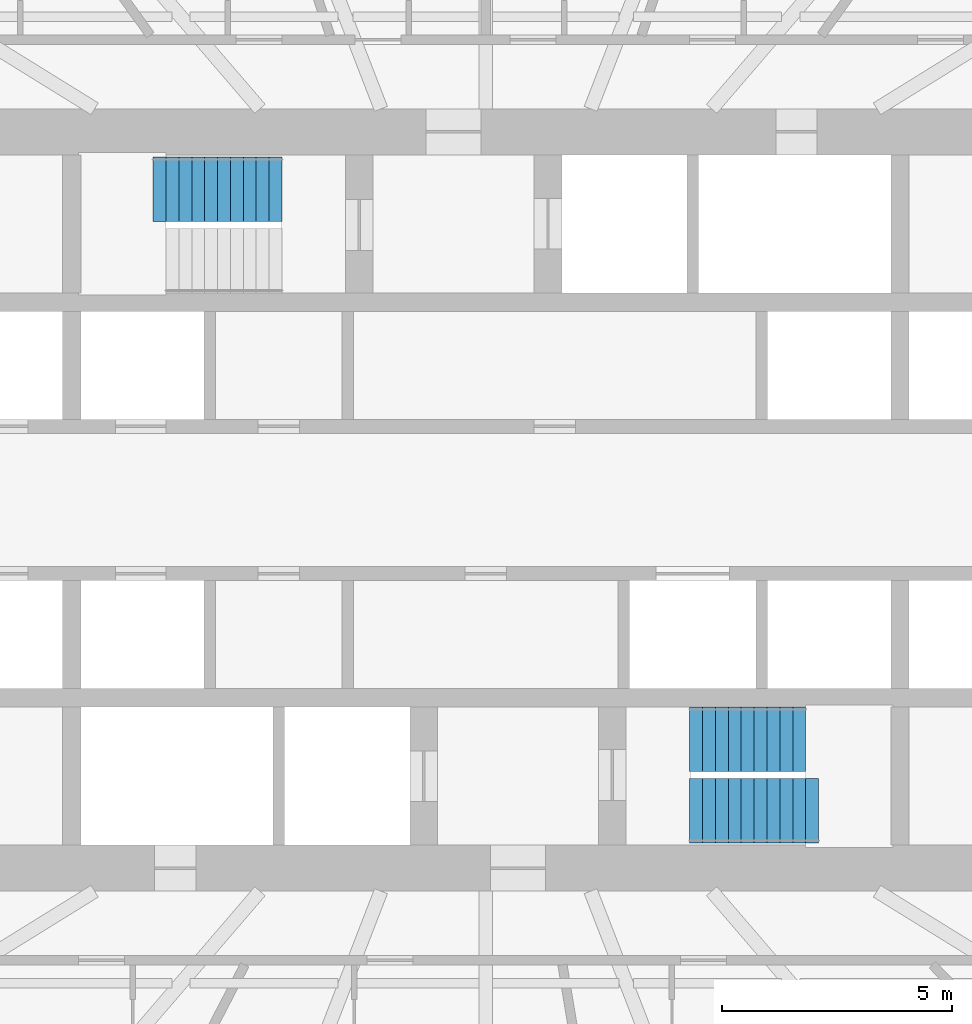
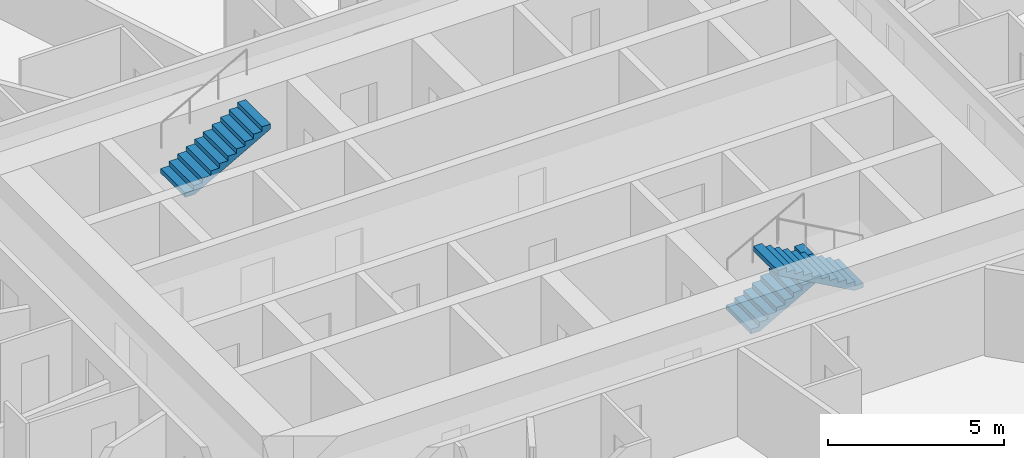
# One storey, part 12 of 13: 3 stair flights, 2 elements without a shape of their own.
"""IFC4 building model written with IfcOpenShell, lengths in metres."""

from ifc_helpers import new_model, si_unit, direction, frame, origin, place, context, subcontext, project, spatial, polyline, outline, extrude, material, type_object, element, aggregate, save


model = new_model("IFC4")

# Units and contexts
model_context = context("Model", 3, precision=1e-05, world=origin(), true_north=direction((0.0, 1.0)))
body_context = subcontext(model_context, "Body", "Model", "MODEL_VIEW")
ifc_project = project(units=[si_unit("LENGTHUNIT", "METRE"), si_unit("AREAUNIT", "SQUARE_METRE"), si_unit("VOLUMEUNIT", "CUBIC_METRE"), si_unit("PLANEANGLEUNIT", "RADIAN"), si_unit("MASSUNIT", "GRAM", prefix="KILO")], contexts=[model_context])

# Site, building, storey
site_placement = place(None, origin())
site = spatial("IfcSite", under=ifc_project, at=site_placement, CompositionType="ELEMENT")
building_placement = place(site_placement, origin())
building = spatial("IfcBuilding", under=site, at=building_placement, Name="Hankou Lantern Tower", CompositionType="ELEMENT")
storey_placement = place(building_placement, frame((0.0, 0.0, 42.60009765625)))
storey = spatial("IfcBuildingStorey", under=building, at=storey_placement, Name="L09", CompositionType="ELEMENT", Elevation=42.60009765625)

# Stair, stair flight
ifc_material_1 = material(Name="Concrete C40", Category="concrete")
stair_type = type_object("IfcStairType", Name="ST33 CORE STAIR 3300 RISE", PredefinedType="HALF_TURN_STAIR", material=ifc_material_1)
stair_1_placement = place(storey_placement, origin())
stair_1 = element("IfcStair", 1, at=stair_1_placement, inside=storey, type_object=stair_type, Name="Stair STB L09", PredefinedType="HALF_TURN_STAIR")
ifc_material_2 = material(Name="Concrete C40", Category="concrete")
stair_flight_type_1 = type_object("IfcStairFlightType", Name="CF10 CORE STAIR FLIGHT 1400 X 10 RISERS", PredefinedType="STRAIGHT", material=ifc_material_2)
stair_flight_1_placement = place(storey_placement, frame((4.429931640625, -5.199951171875, 0.0), z_axis=(0.0, 0.0, 1.0), x_axis=(1.0, 0.0, 0.0)))
stair_flight_1 = element("IfcStairFlight", 2, at=stair_flight_1_placement, type_object=stair_flight_type_1, Name="STB flight 1", NumberOfRisers=10, NumberOfTreads=9, PredefinedType="STRAIGHT", RiserHeight=0.157142857, TreadLength=0.28, context=body_context, shape_type="SweptSolid", body=[
    extrude(outline(polyline([(0.0, 0.0), (0.0, 0.1572265625), (0.280029296875, 0.1572265625), (0.280029296875, 0.314208984375), (0.56005859375, 0.314208984375), (0.56005859375, 0.471435546875), (0.840087890625, 0.471435546875), (0.840087890625, 0.628662109375), (1.1201171875, 0.628662109375), (1.1201171875, 0.78564453125), (1.39990234375, 0.78564453125), (1.39990234375, 0.94287109375), (1.679931640625, 0.94287109375), (1.679931640625, 1.10009765625), (1.9599609375, 1.10009765625), (1.9599609375, 1.257080078125), (2.239990234375, 1.257080078125), (2.239990234375, 1.414306640625), (2.52001953125, 1.414306640625), (2.52001953125, 1.571533203125), (2.52001953125, 1.242431640625), (0.306396484375, 0.0), (0.0, 0.0)])), frame((0.0, 0.699951171875, 0.0), z_axis=(0.0, -1.0, 0.0), x_axis=(1.0, 0.0, 0.0)), (0.0, 0.0, 1.0), 1.39990234375),
])

stair_2_placement = place(storey_placement, origin())
stair_2 = element("IfcStair", 3, at=stair_2_placement, inside=storey, type_object=stair_type, Name="Stair STA L09", PredefinedType="HALF_TURN_STAIR")
ifc_material_3 = material(Name="Concrete C40", Category="concrete")
stair_flight_type_2 = type_object("IfcStairFlightType", Name="CF11 CORE STAIR FLIGHT 1400 X 11 RISERS", PredefinedType="STRAIGHT", material=ifc_material_3)
stair_flight_2_placement = place(storey_placement, frame((-7.22998046875, 6.75, 1.5712890625), z_axis=(0.0, 0.0, 1.0), x_axis=(1.0, 0.0, 0.0)))
stair_flight_2 = element("IfcStairFlight", 4, at=stair_flight_2_placement, type_object=stair_flight_type_2, Name="STA flight 2", NumberOfRisers=11, NumberOfTreads=10, PredefinedType="STRAIGHT", RiserHeight=0.157142857, TreadLength=0.28, context=body_context, shape_type="SweptSolid", body=[
    extrude(outline(polyline([(0.0, 0.0), (0.0, 0.1572265625), (0.280029296875, 0.1572265625), (0.280029296875, 0.314208984375), (0.56005859375, 0.314208984375), (0.56005859375, 0.471435546875), (0.840087890625, 0.471435546875), (0.840087890625, 0.628662109375), (1.1201171875, 0.628662109375), (1.1201171875, 0.78564453125), (1.39990234375, 0.78564453125), (1.39990234375, 0.94287109375), (1.679931640625, 0.94287109375), (1.679931640625, 1.10009765625), (1.9599609375, 1.10009765625), (1.9599609375, 1.257080078125), (2.239990234375, 1.257080078125), (2.239990234375, 1.414306640625), (2.52001953125, 1.414306640625), (2.52001953125, 1.571533203125), (2.800048828125, 1.571533203125), (2.800048828125, 1.728515625), (2.800048828125, 1.3994140625), (0.306396484375, 0.0), (0.0, 0.0)])), frame((0.0, 0.699951171875, 0.0), z_axis=(0.0, -1.0, 0.0), x_axis=(1.0, 0.0, 0.0)), (0.0, 0.0, 1.0), 1.39990234375),
])
aggregate(stair_2, [stair_flight_2])

# Stair flight
stair_flight_3_placement = place(storey_placement, frame((7.22998046875, -6.75, 1.5712890625), z_axis=(0.0, 0.0, 1.0), x_axis=(-1.0, 0.0, 0.0)))
stair_flight_3 = element("IfcStairFlight", 5, at=stair_flight_3_placement, type_object=stair_flight_type_2, Name="STB flight 2", NumberOfRisers=11, NumberOfTreads=10, PredefinedType="STRAIGHT", RiserHeight=0.157142857, TreadLength=0.28, context=body_context, shape_type="SweptSolid", body=[
    extrude(outline(polyline([(0.0, 0.0), (0.0, 0.1572265625), (0.280029296875, 0.1572265625), (0.280029296875, 0.314208984375), (0.56005859375, 0.314208984375), (0.56005859375, 0.471435546875), (0.840087890625, 0.471435546875), (0.840087890625, 0.628662109375), (1.1201171875, 0.628662109375), (1.1201171875, 0.78564453125), (1.39990234375, 0.78564453125), (1.39990234375, 0.94287109375), (1.679931640625, 0.94287109375), (1.679931640625, 1.10009765625), (1.9599609375, 1.10009765625), (1.9599609375, 1.257080078125), (2.239990234375, 1.257080078125), (2.239990234375, 1.414306640625), (2.52001953125, 1.414306640625), (2.52001953125, 1.571533203125), (2.800048828125, 1.571533203125), (2.800048828125, 1.728515625), (2.800048828125, 1.3994140625), (0.306396484375, 0.0), (0.0, 0.0)])), frame((0.0, 0.699951171875, 0.0), z_axis=(0.0, -1.0, 0.0), x_axis=(1.0, 0.0, 0.0)), (0.0, 0.0, 1.0), 1.39990234375),
])

aggregate(stair_1, [stair_flight_1, stair_flight_3])

save(model, "model.ifc")
